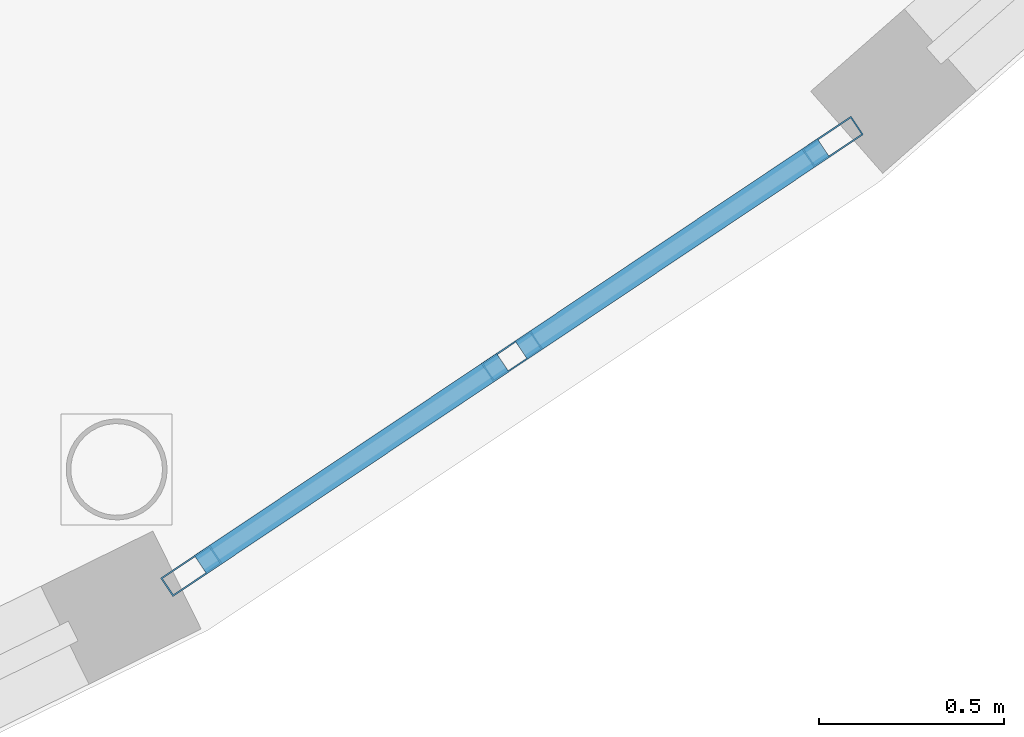
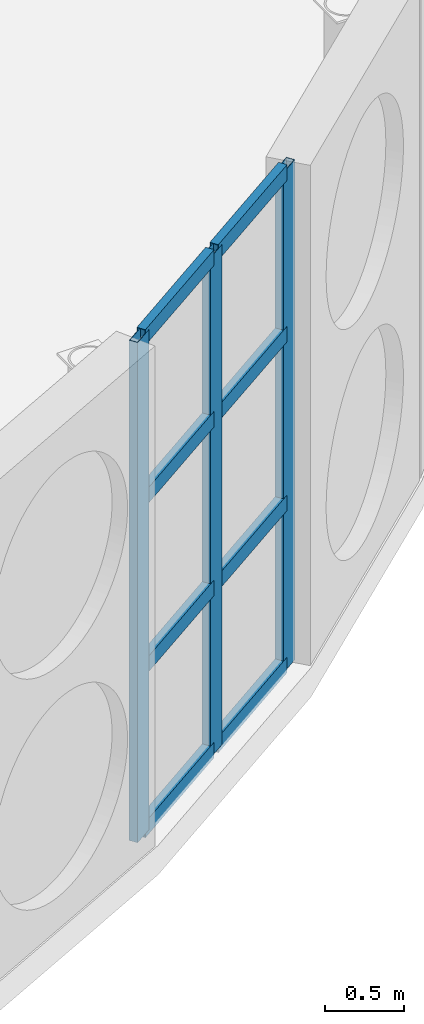
# One storey, part 28 of 114: 11 members, 1 element without a shape of its own.
"""IFC4 building model written with IfcOpenShell, lengths in metres."""

from ifc_helpers import new_model, si_unit, direction, frame, origin, origin_2d, place, context, subcontext, project, spatial, hollow_rectangle, extrude, material, layer, layer_set, material_profile, profile_set, type_object, element, aggregate, save


model = new_model("IFC4")

# Units and contexts
model_context = context("Model", 3, precision=1e-05, world=origin(), true_north=direction((0.0, 1.0)))
body_context = subcontext(model_context, "Body", "Model", "MODEL_VIEW")
ifc_project = project(units=[si_unit("LENGTHUNIT", "METRE"), si_unit("AREAUNIT", "SQUARE_METRE"), si_unit("VOLUMEUNIT", "CUBIC_METRE"), si_unit("PLANEANGLEUNIT", "RADIAN"), si_unit("MASSUNIT", "GRAM", prefix="KILO")], contexts=[model_context])

# Site, building, storey
site_placement = place(None, origin())
site = spatial("IfcSite", under=ifc_project, at=site_placement, CompositionType="ELEMENT")
building_placement = place(site_placement, origin())
building = spatial("IfcBuilding", under=site, at=building_placement, Name="Montecoro Central Library", CompositionType="ELEMENT")
storey_placement = place(building_placement, frame((0.0, 0.0, 13.260009765625)))
storey = spatial("IfcBuildingStorey", under=building, at=storey_placement, Name="L03", CompositionType="ELEMENT", Elevation=13.260009765625)

# Curtain wall, members
ifc_material_1 = material(Name="Bronze-anodised aluminium and low-E glazing", Category="aluminium")
ifc_layer = layer(ifc_material_1, 0.159912109375)
ifc_layer_set = layer_set([ifc_layer], Name="Bronze-anodised aluminium and low-E glazing")
curtain_wall_type = type_object("IfcCurtainWallType", Name="CWT-005", PredefinedType="NOTDEFINED", material=ifc_layer_set)
curtain_wall_placement = place(storey_placement, origin())
curtain_wall = element("IfcCurtainWall", 1, at=curtain_wall_placement, inside=storey, type_object=curtain_wall_type, Name="V1-L03-CW-41", PredefinedType="NOTDEFINED")
ifc_material_2 = material(Name="Bronze-anodised aluminium", Category="aluminium")
ifc_material_profile_1 = material_profile(ifc_material_2, hollow_rectangle(XDim=0.06005859375, YDim=0.159912109375, WallThickness=0.00390625, at=origin_2d()), Name="CWM 160x60x4.0")
ifc_profile_set_1 = profile_set([ifc_material_profile_1], Name="Bronze-anodised aluminium")
member_type_1 = type_object("IfcMemberType", Name="CWM-BRZ-60", PredefinedType="MULLION", material=ifc_profile_set_1)
member_1_placement = place(storey_placement, frame((99.891845703125, 21.11376953125, 0.0), z_axis=(0.0, 0.0, 1.0), x_axis=(-0.556097814687, 0.831116851291, 0.0)))
member_1 = element("IfcMember", 2, at=member_1_placement, type_object=member_type_1, Name="CW-005 mullion 1", PredefinedType="MULLION", context=body_context, shape_type="SweptSolid", body=[
    extrude(hollow_rectangle(XDim=0.06005859375, YDim=0.159912109375, WallThickness=0.00390625, at=origin_2d()), origin(), (0.0, 0.0, 1.0), 3.85498046875),
])
member_2_placement = place(storey_placement, frame((100.758544921875, 21.693603515625, 0.0), z_axis=(0.0, 0.0, 1.0), x_axis=(-0.556097814687, 0.831116851291, 0.0)))
member_2 = element("IfcMember", 3, at=member_2_placement, type_object=member_type_1, Name="CW-005 mullion 2", PredefinedType="MULLION", context=body_context, shape_type="SweptSolid", body=[
    extrude(hollow_rectangle(XDim=0.06005859375, YDim=0.159912109375, WallThickness=0.00390625, at=origin_2d()), origin(), (0.0, 0.0, 1.0), 3.85498046875),
])
member_3_placement = place(storey_placement, frame((101.625, 22.2734375, 0.0), z_axis=(0.0, 0.0, 1.0), x_axis=(-0.556097814687, 0.831116851291, 0.0)))
member_3 = element("IfcMember", 4, at=member_3_placement, type_object=member_type_1, Name="CW-005 mullion 3", PredefinedType="MULLION", context=body_context, shape_type="SweptSolid", body=[
    extrude(hollow_rectangle(XDim=0.06005859375, YDim=0.159912109375, WallThickness=0.00390625, at=origin_2d()), origin(), (0.0, 0.0, 1.0), 3.85498046875),
])
ifc_material_profile_2 = material_profile(ifc_material_2, hollow_rectangle(XDim=0.06005859375, YDim=0.1201171875, WallThickness=0.00390625, at=origin_2d()), Name="CWT 120x60x4.0")
ifc_profile_set_2 = profile_set([ifc_material_profile_2], Name="Bronze-anodised aluminium")
member_type_2 = type_object("IfcMemberType", Name="CWT-BRZ-60", PredefinedType="USERDEFINED", material=ifc_profile_set_2)
member_4_placement = place(storey_placement, frame((99.916748046875, 21.13037109375, 0.030029296875), z_axis=(0.831208537172, 0.555960760965, 0.0), x_axis=(-0.555960760965, 0.831208537172, 0.0)))
member_4 = element("IfcMember", 5, at=member_4_placement, type_object=member_type_2, Name="CW-005 transom 1.1", ObjectType="TRANSOM", PredefinedType="USERDEFINED", context=body_context, shape_type="SweptSolid", body=[
    extrude(hollow_rectangle(XDim=0.06005859375, YDim=0.1201171875, WallThickness=0.00390625, at=origin_2d()), origin(), (0.0, 0.0, 1.0), 0.982666015625),
])
member_5_placement = place(storey_placement, frame((99.916748046875, 21.13037109375, 1.280029296875), z_axis=(0.831208537172, 0.555960760965, 0.0), x_axis=(-0.555960760965, 0.831208537172, 0.0)))
member_5 = element("IfcMember", 6, at=member_5_placement, type_object=member_type_2, Name="CW-005 transom 1.2", ObjectType="TRANSOM", PredefinedType="USERDEFINED", context=body_context, shape_type="SweptSolid", body=[
    extrude(hollow_rectangle(XDim=0.06005859375, YDim=0.1201171875, WallThickness=0.00390625, at=origin_2d()), origin(), (0.0, 0.0, 1.0), 0.982666015625),
])
member_6_placement = place(storey_placement, frame((99.916748046875, 21.13037109375, 2.580078125), z_axis=(0.831208537172, 0.555960760965, 0.0), x_axis=(-0.555960760965, 0.831208537172, 0.0)))
member_6 = element("IfcMember", 7, at=member_6_placement, type_object=member_type_2, Name="CW-005 transom 1.3", ObjectType="TRANSOM", PredefinedType="USERDEFINED", context=body_context, shape_type="SweptSolid", body=[
    extrude(hollow_rectangle(XDim=0.06005859375, YDim=0.1201171875, WallThickness=0.00390625, at=origin_2d()), origin(), (0.0, 0.0, 1.0), 0.982666015625),
])
member_7_placement = place(storey_placement, frame((99.916748046875, 21.13037109375, 3.824951171875), z_axis=(0.831208537172, 0.555960760965, 0.0), x_axis=(-0.555960760965, 0.831208537172, 0.0)))
member_7 = element("IfcMember", 8, at=member_7_placement, type_object=member_type_2, Name="CW-005 transom 1.4", ObjectType="TRANSOM", PredefinedType="USERDEFINED", context=body_context, shape_type="SweptSolid", body=[
    extrude(hollow_rectangle(XDim=0.06005859375, YDim=0.1201171875, WallThickness=0.00390625, at=origin_2d()), origin(), (0.0, 0.0, 1.0), 0.982666015625),
])
member_8_placement = place(storey_placement, frame((100.783447265625, 21.710205078125, 0.030029296875), z_axis=(0.831131729099, 0.556075578393, 0.0), x_axis=(-0.556075578393, 0.831131729099, 0.0)))
member_8 = element("IfcMember", 9, at=member_8_placement, type_object=member_type_2, Name="CW-005 transom 2.1", ObjectType="TRANSOM", PredefinedType="USERDEFINED", context=body_context, shape_type="SweptSolid", body=[
    extrude(hollow_rectangle(XDim=0.06005859375, YDim=0.1201171875, WallThickness=0.00390625, at=origin_2d()), origin(), (0.0, 0.0, 1.0), 0.982666015625),
])
member_9_placement = place(storey_placement, frame((100.783447265625, 21.710205078125, 1.280029296875), z_axis=(0.831131729099, 0.556075578393, 0.0), x_axis=(-0.556075578393, 0.831131729099, 0.0)))
member_9 = element("IfcMember", 10, at=member_9_placement, type_object=member_type_2, Name="CW-005 transom 2.2", ObjectType="TRANSOM", PredefinedType="USERDEFINED", context=body_context, shape_type="SweptSolid", body=[
    extrude(hollow_rectangle(XDim=0.06005859375, YDim=0.1201171875, WallThickness=0.00390625, at=origin_2d()), origin(), (0.0, 0.0, 1.0), 0.982666015625),
])
member_10_placement = place(storey_placement, frame((100.783447265625, 21.710205078125, 2.580078125), z_axis=(0.831131729099, 0.556075578393, 0.0), x_axis=(-0.556075578393, 0.831131729099, 0.0)))
member_10 = element("IfcMember", 11, at=member_10_placement, type_object=member_type_2, Name="CW-005 transom 2.3", ObjectType="TRANSOM", PredefinedType="USERDEFINED", context=body_context, shape_type="SweptSolid", body=[
    extrude(hollow_rectangle(XDim=0.06005859375, YDim=0.1201171875, WallThickness=0.00390625, at=origin_2d()), origin(), (0.0, 0.0, 1.0), 0.982666015625),
])
member_11_placement = place(storey_placement, frame((100.783447265625, 21.710205078125, 3.824951171875), z_axis=(0.831131729099, 0.556075578393, 0.0), x_axis=(-0.556075578393, 0.831131729099, 0.0)))
member_11 = element("IfcMember", 12, at=member_11_placement, type_object=member_type_2, Name="CW-005 transom 2.4", ObjectType="TRANSOM", PredefinedType="USERDEFINED", context=body_context, shape_type="SweptSolid", body=[
    extrude(hollow_rectangle(XDim=0.06005859375, YDim=0.1201171875, WallThickness=0.00390625, at=origin_2d()), origin(), (0.0, 0.0, 1.0), 0.982666015625),
])
aggregate(curtain_wall, [member_1, member_2, member_3, member_4, member_5, member_6, member_7, member_8, member_9, member_10, member_11])

save(model, "model.ifc")
